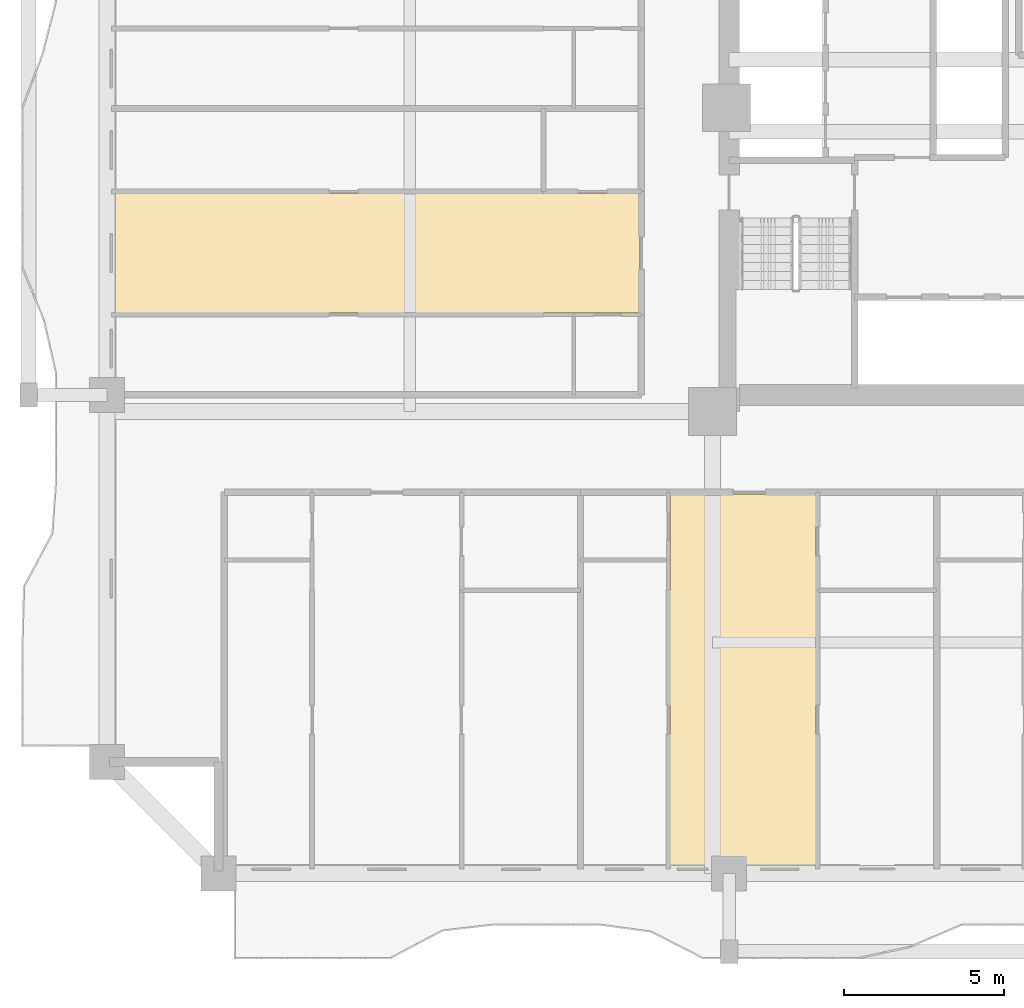
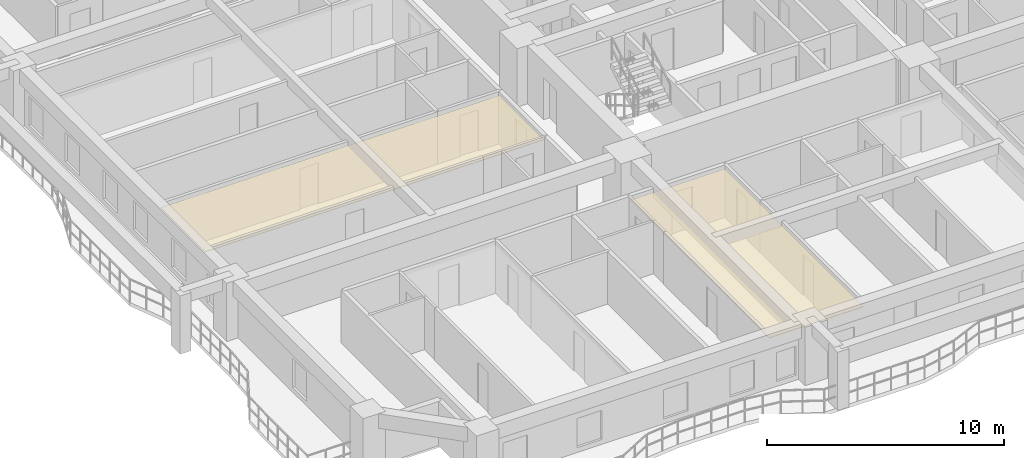
# One storey, part 11 of 15: 2 coverings.
"""IFC4 building model written with IfcOpenShell, lengths in metres."""

from ifc_helpers import new_model, si_unit, direction, frame, origin, place, context, subcontext, project, spatial, polyline, outline, extrude, material, layer, layer_set, type_object, element, save


model = new_model("IFC4")

# Units and contexts
model_context = context("Model", 3, precision=1e-05, world=origin(), true_north=direction((0.0, 1.0)))
body_context = subcontext(model_context, "Body", "Model", "MODEL_VIEW")
ifc_project = project(units=[si_unit("LENGTHUNIT", "METRE"), si_unit("AREAUNIT", "SQUARE_METRE"), si_unit("VOLUMEUNIT", "CUBIC_METRE"), si_unit("PLANEANGLEUNIT", "RADIAN"), si_unit("MASSUNIT", "GRAM", prefix="KILO")], contexts=[model_context])

# Site, building, storey
site_placement = place(None, origin())
site = spatial("IfcSite", under=ifc_project, at=site_placement, CompositionType="ELEMENT")
building_placement = place(site_placement, origin())
building = spatial("IfcBuilding", under=site, at=building_placement, Name="Saelheon Loggia Tower", CompositionType="ELEMENT")
storey_placement = place(building_placement, frame((0.0, 0.0, 67.39990234375)))
storey = spatial("IfcBuildingStorey", under=building, at=storey_placement, Name="L21", CompositionType="ELEMENT", Elevation=67.39990234375)

# Coverings
ifc_material = material(Name="Mineral-Fibre Acoustic Ceiling Board", Category="gypsum")
ifc_layer = layer(ifc_material, 0.02490234375)
ifc_layer_set = layer_set([ifc_layer], Name="Mineral-Fibre Acoustic Ceiling Board")
covering_type = type_object("IfcCoveringType", Name="Cov_Ceiling_Acoustic", PredefinedType="CEILING", material=ifc_layer_set)
covering_1_placement = place(storey_placement, frame((0.0, 0.0, 2.445068359375)))
element("IfcCovering", 1, at=covering_1_placement, inside=storey, type_object=covering_type, Name="L21 Acoustic Suspended Ceiling", PredefinedType="CEILING", context=body_context, shape_type="SweptSolid", body=[
    extrude(outline(polyline([(29.639892578125, 3.199951171875), (34.227294921875, 3.199951171875), (34.227294921875, 14.89990234375), (29.639892578125, 14.89990234375), (29.639892578125, 3.199951171875)])), origin(), (0.0, 0.0, 1.0), 0.025146484375),
])
covering_2_placement = place(storey_placement, frame((0.0, 0.0, 2.445068359375)))
element("IfcCovering", 2, at=covering_2_placement, inside=storey, type_object=covering_type, Name="L21 Acoustic Suspended Ceiling", PredefinedType="CEILING", context=body_context, shape_type="SweptSolid", body=[
    extrude(outline(polyline([(12.199951171875, 20.56298828125), (28.699951171875, 20.56298828125), (28.699951171875, 24.324951171875), (12.199951171875, 24.324951171875), (12.199951171875, 20.56298828125)])), origin(), (0.0, 0.0, 1.0), 0.025146484375),
])

save(model, "model.ifc")
